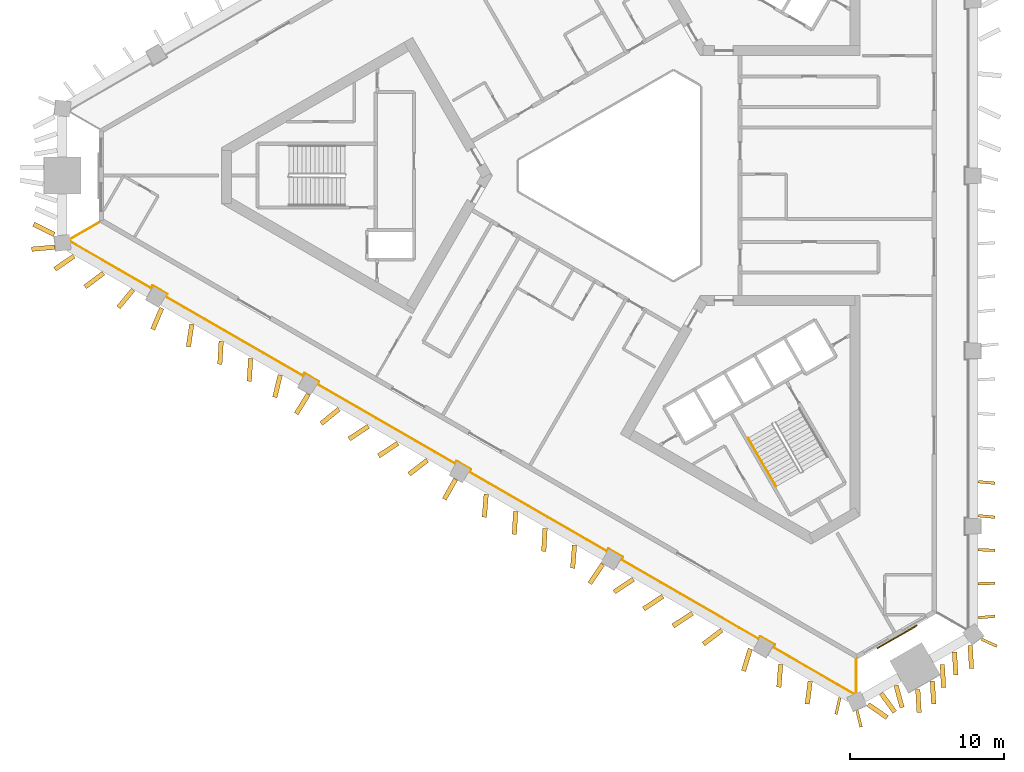
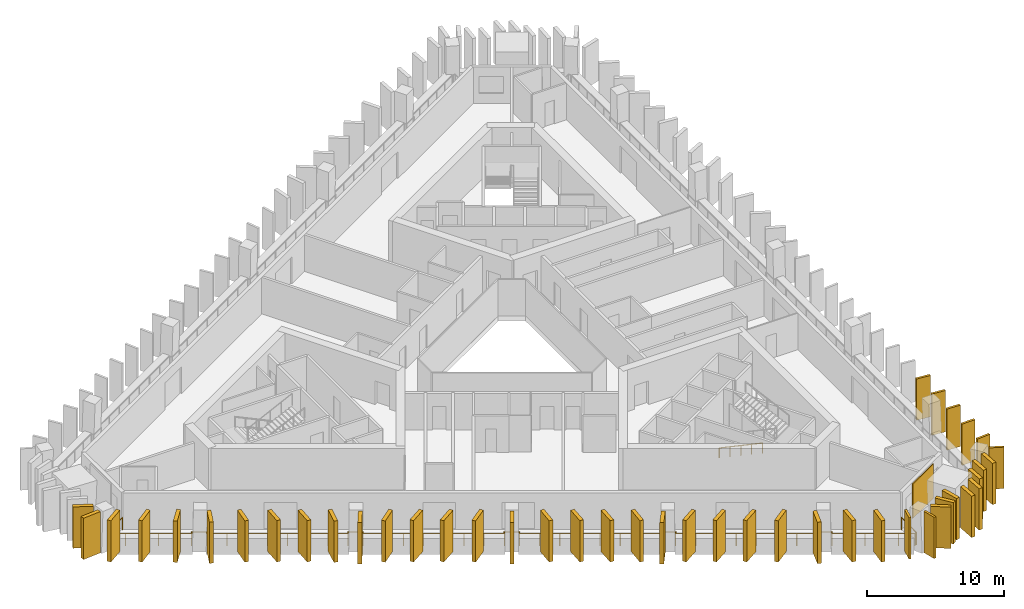
# One storey, part 7 of 10: 44 shading devices, 2 railings, 1 covering.
"""IFC4 building model written with IfcOpenShell, lengths in metres."""

from ifc_helpers import new_model, si_unit, direction, frame, frame_2d, origin, origin_2d, place, context, subcontext, project, spatial, rectangle, circle, extrude, material, layer, layer_set, type_object, element, save


model = new_model("IFC4")

# Units and contexts
model_context = context("Model", 3, precision=1e-05, world=origin(), true_north=direction((0.0, 1.0)))
body_context = subcontext(model_context, "Body", "Model", "MODEL_VIEW")
ifc_project = project(units=[si_unit("LENGTHUNIT", "METRE"), si_unit("AREAUNIT", "SQUARE_METRE"), si_unit("VOLUMEUNIT", "CUBIC_METRE"), si_unit("PLANEANGLEUNIT", "RADIAN"), si_unit("MASSUNIT", "GRAM", prefix="KILO")], contexts=[model_context])

# Site, building, storey
site_placement = place(None, origin())
site = spatial("IfcSite", under=ifc_project, at=site_placement, CompositionType="ELEMENT")
building_placement = place(site_placement, origin())
building = spatial("IfcBuilding", under=site, at=building_placement, Name="Jabali Bay Hotel Tower and Convention Centre", CompositionType="ELEMENT")
storey_placement = place(building_placement, frame((0.0, 0.0, 117.89990234375)))
storey = spatial("IfcBuildingStorey", under=building, at=storey_placement, Name="L28", CompositionType="ELEMENT", Elevation=117.89990234375)

# Railing
ifc_material_1 = material(Name="Glass", Category="glass")
railing_type_1 = type_object("IfcRailingType", Name="Loggia glass guard 1100", PredefinedType="BALUSTRADE", material=ifc_material_1)
railing_1_placement = place(storey_placement, frame((89.64892578125, 48.534423828125, 0.0)))
element("IfcRailing", 1, at=railing_1_placement, inside=storey, type_object=railing_type_1, Name="Loggia glass guard L28", PredefinedType="BALUSTRADE", context=body_context, shape_type="SweptSolid", body=[
    extrude(circle(Radius=0.02490234375, at=origin_2d()), frame((0.0, 0.0, 1.0751953125), z_axis=(0.0, -1.0, 0.0), x_axis=(0.991444861374, 0.0, 0.13052619222)), (0.0, 0.0, 1.0), 2.165283203125),
    extrude(circle(Radius=0.02490234375, at=origin_2d()), frame((0.0, -2.165283203125, 1.0751953125), z_axis=(-0.919226147347, -0.393729970962, 0.0), x_axis=(0.39036155648, -0.911362040227, 0.13052619222)), (0.0, 0.0, 1.0), 0.155517578125),
    extrude(circle(Radius=0.02490234375, at=origin_2d()), frame((-0.14306640625, -2.2265625, 1.0751953125), z_axis=(-0.866023045711, 0.500004084281, 0.0), x_axis=(-0.495726480026, -0.858614098501, 0.13052619222)), (0.0, 0.0, 1.0), 6.05322265625),
    extrude(circle(Radius=0.02490234375, at=origin_2d()), frame((-5.38525390625, 0.800048828125, 1.0751953125), z_axis=(0.499687197852, 0.866205924883, 0.0), x_axis=(-0.858795413117, 0.495412304605, 0.13052619222)), (0.0, 0.0, 1.0), 0.199951171875),
    extrude(circle(Radius=0.02490234375, at=origin_2d()), frame((-5.285400390625, 0.97314453125, 1.0751953125), z_axis=(-0.866008176907, 0.50002983664, 0.0), x_axis=(-0.495752012071, -0.858599356902, 0.13052619222)), (0.0, 0.0, 1.0), 1.10009765625),
    extrude(circle(Radius=0.02490234375, at=origin_2d()), frame((-6.238037109375, 1.523193359375, 1.0751953125), z_axis=(-0.499687197852, -0.866205924883, 0.0), x_axis=(0.858795413117, -0.495412304605, 0.13052619222)), (0.0, 0.0, 1.0), 0.199951171875),
    extrude(circle(Radius=0.02490234375, at=origin_2d()), frame((-6.337890625, 1.35009765625, 1.0751953125), z_axis=(-0.866034053161, 0.499985018542, 0.0), x_axis=(-0.495707577397, -0.858625011781, 0.13052619222)), (0.0, 0.0, 1.0), 10.302490234375),
    extrude(circle(Radius=0.02490234375, at=origin_2d()), frame((-15.26025390625, 6.501220703125, 1.0751953125), z_axis=(0.499158860599, 0.866510491504, 0.0), x_axis=(-0.859097374128, 0.49488848735, 0.13052619222)), (0.0, 0.0, 1.0), 0.199951171875),
    extrude(circle(Radius=0.02490234375, at=origin_2d()), frame((-15.160400390625, 6.674560546875, 1.0751953125), z_axis=(-0.866008176907, 0.50002983664, 0.0), x_axis=(-0.495752012071, -0.858599356902, 0.13052619222)), (0.0, 0.0, 1.0), 1.10009765625),
    extrude(circle(Radius=0.02490234375, at=origin_2d()), frame((-16.113037109375, 7.224609375, 1.0751953125), z_axis=(-0.499158860599, -0.866510491504, 0.0), x_axis=(0.859097374128, -0.49488848735, 0.13052619222)), (0.0, 0.0, 1.0), 0.199951171875),
    extrude(circle(Radius=0.02490234375, at=origin_2d()), frame((-16.212890625, 7.05126953125, 1.0751953125), z_axis=(-0.866023792161, 0.500002791403, 0.0), x_axis=(-0.495725198209, -0.858614838566, 0.13052619222)), (0.0, 0.0, 1.0), 10.302734375),
    extrude(circle(Radius=0.02490234375, at=origin_2d()), frame((-25.13525390625, 12.20263671875, 1.0751953125), z_axis=(0.499687197852, 0.866205924883, 0.0), x_axis=(-0.858795413117, 0.495412304605, 0.13052619222)), (0.0, 0.0, 1.0), 0.199951171875),
    extrude(circle(Radius=0.02490234375, at=origin_2d()), frame((-25.035400390625, 12.375732421875, 1.0751953125), z_axis=(-0.866008176907, 0.50002983664, 0.0), x_axis=(-0.495752012071, -0.858599356902, 0.13052619222)), (0.0, 0.0, 1.0), 1.10009765625),
    extrude(circle(Radius=0.02490234375, at=origin_2d()), frame((-25.988037109375, 12.92578125, 1.0751953125), z_axis=(-0.499687197852, -0.866205924883, 0.0), x_axis=(0.858795413117, -0.495412304605, 0.13052619222)), (0.0, 0.0, 1.0), 0.199951171875),
    extrude(circle(Radius=0.02490234375, at=origin_2d()), frame((-26.087890625, 12.752685546875, 1.0751953125), z_axis=(-0.866023792161, 0.500002791403, 0.0), x_axis=(-0.495725198209, -0.858614838566, 0.13052619222)), (0.0, 0.0, 1.0), 10.302734375),
    extrude(circle(Radius=0.02490234375, at=origin_2d()), frame((-35.01025390625, 17.904052734375, 1.0751953125), z_axis=(0.500603037456, 0.865676959893, 0.0), x_axis=(-0.858270973496, 0.496320309074, 0.13052619222)), (0.0, 0.0, 1.0), 0.199951171875),
    extrude(circle(Radius=0.02490234375, at=origin_2d()), frame((-34.91015625, 18.0771484375, 1.0751953125), z_axis=(-0.866008176907, 0.50002983664, 0.0), x_axis=(-0.495752012071, -0.858599356902, 0.13052619222)), (0.0, 0.0, 1.0), 1.10009765625),
    extrude(circle(Radius=0.02490234375, at=origin_2d()), frame((-35.86279296875, 18.627197265625, 1.0751953125), z_axis=(-0.500074377092, -0.865982457891, 0.0), x_axis=(0.858573857916, -0.495796171473, 0.13052619222)), (0.0, 0.0, 1.0), 0.2001953125),
    extrude(circle(Radius=0.02490234375, at=origin_2d()), frame((-35.962890625, 18.453857421875, 1.0751953125), z_axis=(-0.866023792161, 0.500002791403, 0.0), x_axis=(-0.495725198209, -0.858614838566, 0.13052619222)), (0.0, 0.0, 1.0), 10.302734375),
    extrude(circle(Radius=0.02490234375, at=origin_2d()), frame((-44.88525390625, 23.605224609375, 1.0751953125), z_axis=(0.500074377092, 0.865982457891, 0.0), x_axis=(-0.858573857916, 0.495796171473, 0.13052619222)), (0.0, 0.0, 1.0), 0.2001953125),
    extrude(circle(Radius=0.02490234375, at=origin_2d()), frame((-44.78515625, 23.778564453125, 1.0751953125), z_axis=(-0.866104278045, 0.499863360881, 0.0), x_axis=(-0.495586960535, -0.858694635882, 0.13052619222)), (0.0, 0.0, 1.0), 1.099853515625),
    extrude(circle(Radius=0.02490234375, at=origin_2d()), frame((-45.73779296875, 24.328369140625, 1.0751953125), z_axis=(-0.500603037456, -0.865676959893, 0.0), x_axis=(0.858270973496, -0.496320309074, 0.13052619222)), (0.0, 0.0, 1.0), 0.199951171875),
    extrude(circle(Radius=0.02490234375, at=origin_2d()), frame((-45.837890625, 24.1552734375, 1.0751953125), z_axis=(-0.866033128514, 0.499986620137, 0.0), x_axis=(-0.49570916529, -0.858624095045, 0.13052619222)), (0.0, 0.0, 1.0), 6.053466796875),
    extrude(circle(Radius=0.02490234375, at=origin_2d()), frame((-51.080322265625, 27.181884765625, 1.0751953125), z_axis=(-0.117477392411, 0.993075557182, 0.0), x_axis=(-0.984579658124, -0.116472357034, 0.13052619222)), (0.0, 0.0, 1.0), 0.15576171875),
    extrude(circle(Radius=0.02490234375, at=origin_2d()), frame((-51.0986328125, 27.336669921875, 1.0751953125), z_axis=(0.866056034881, 0.49994694163, 0.0), x_axis=(-0.495669826239, 0.858646805445, 0.13052619222)), (0.0, 0.0, 1.0), 2.165283203125),
    extrude(circle(Radius=0.02001953125, at=origin_2d()), origin(), (0.0, 0.0, 1.0), 1.050048828125),
    extrude(circle(Radius=0.02001953125, at=origin_2d()), frame((0.0, -1.08251953125, 0.0)), (0.0, 0.0, 1.0), 1.050048828125),
    extrude(circle(Radius=0.02001953125, at=origin_2d()), frame((0.0, -2.165283203125, 0.0)), (0.0, 0.0, 1.0), 1.050048828125),
    extrude(circle(Radius=0.02001953125, at=origin_2d()), frame((-0.14306640625, -2.2265625, 0.0)), (0.0, 0.0, 1.0), 1.050048828125),
    extrude(circle(Radius=0.02001953125, at=origin_2d()), frame((-1.19140625, -1.621337890625, 0.0)), (0.0, 0.0, 1.0), 1.050048828125),
    extrude(circle(Radius=0.02001953125, at=origin_2d()), frame((-2.239990234375, -1.015869140625, 0.0)), (0.0, 0.0, 1.0), 1.050048828125),
    extrude(circle(Radius=0.02001953125, at=origin_2d()), frame((-3.288330078125, -0.41064453125, 0.0)), (0.0, 0.0, 1.0), 1.050048828125),
    extrude(circle(Radius=0.02001953125, at=origin_2d()), frame((-4.3369140625, 0.19482421875, 0.0)), (0.0, 0.0, 1.0), 1.050048828125),
    extrude(circle(Radius=0.02001953125, at=origin_2d()), frame((-5.38525390625, 0.800048828125, 0.0)), (0.0, 0.0, 1.0), 1.050048828125),
    extrude(circle(Radius=0.02001953125, at=origin_2d()), frame((-5.285400390625, 0.97314453125, 0.0)), (0.0, 0.0, 1.0), 1.050048828125),
    extrude(circle(Radius=0.02001953125, at=origin_2d()), frame((-6.238037109375, 1.523193359375, 0.0)), (0.0, 0.0, 1.0), 1.050048828125),
    extrude(circle(Radius=0.02001953125, at=origin_2d()), frame((-6.337890625, 1.35009765625, 0.0)), (0.0, 0.0, 1.0), 1.050048828125),
    extrude(circle(Radius=0.02001953125, at=origin_2d()), frame((-7.612548828125, 2.0859375, 0.0)), (0.0, 0.0, 1.0), 1.050048828125),
    extrude(circle(Radius=0.02001953125, at=origin_2d()), frame((-8.88720703125, 2.82177734375, 0.0)), (0.0, 0.0, 1.0), 1.050048828125),
    extrude(circle(Radius=0.02001953125, at=origin_2d()), frame((-10.161865234375, 3.5576171875, 0.0)), (0.0, 0.0, 1.0), 1.050048828125),
    extrude(circle(Radius=0.02001953125, at=origin_2d()), frame((-11.436279296875, 4.293701171875, 0.0)), (0.0, 0.0, 1.0), 1.050048828125),
    extrude(circle(Radius=0.02001953125, at=origin_2d()), frame((-12.7109375, 5.029541015625, 0.0)), (0.0, 0.0, 1.0), 1.050048828125),
    extrude(circle(Radius=0.02001953125, at=origin_2d()), frame((-13.985595703125, 5.765380859375, 0.0)), (0.0, 0.0, 1.0), 1.050048828125),
    extrude(circle(Radius=0.02001953125, at=origin_2d()), frame((-15.26025390625, 6.501220703125, 0.0)), (0.0, 0.0, 1.0), 1.050048828125),
    extrude(circle(Radius=0.02001953125, at=origin_2d()), frame((-15.160400390625, 6.674560546875, 0.0)), (0.0, 0.0, 1.0), 1.050048828125),
    extrude(circle(Radius=0.02001953125, at=origin_2d()), frame((-16.113037109375, 7.224609375, 0.0)), (0.0, 0.0, 1.0), 1.050048828125),
    extrude(circle(Radius=0.02001953125, at=origin_2d()), frame((-16.212890625, 7.05126953125, 0.0)), (0.0, 0.0, 1.0), 1.050048828125),
    extrude(circle(Radius=0.02001953125, at=origin_2d()), frame((-17.487548828125, 7.787109375, 0.0)), (0.0, 0.0, 1.0), 1.050048828125),
    extrude(circle(Radius=0.02001953125, at=origin_2d()), frame((-18.76220703125, 8.523193359375, 0.0)), (0.0, 0.0, 1.0), 1.050048828125),
    extrude(circle(Radius=0.02001953125, at=origin_2d()), frame((-20.036865234375, 9.259033203125, 0.0)), (0.0, 0.0, 1.0), 1.050048828125),
    extrude(circle(Radius=0.02001953125, at=origin_2d()), frame((-21.311279296875, 9.994873046875, 0.0)), (0.0, 0.0, 1.0), 1.050048828125),
    extrude(circle(Radius=0.02001953125, at=origin_2d()), frame((-22.5859375, 10.730712890625, 0.0)), (0.0, 0.0, 1.0), 1.050048828125),
    extrude(circle(Radius=0.02001953125, at=origin_2d()), frame((-23.860595703125, 11.466796875, 0.0)), (0.0, 0.0, 1.0), 1.050048828125),
    extrude(circle(Radius=0.02001953125, at=origin_2d()), frame((-25.13525390625, 12.20263671875, 0.0)), (0.0, 0.0, 1.0), 1.050048828125),
    extrude(circle(Radius=0.02001953125, at=origin_2d()), frame((-25.035400390625, 12.375732421875, 0.0)), (0.0, 0.0, 1.0), 1.050048828125),
    extrude(circle(Radius=0.02001953125, at=origin_2d()), frame((-25.988037109375, 12.92578125, 0.0)), (0.0, 0.0, 1.0), 1.050048828125),
    extrude(circle(Radius=0.02001953125, at=origin_2d()), frame((-26.087890625, 12.752685546875, 0.0)), (0.0, 0.0, 1.0), 1.050048828125),
    extrude(circle(Radius=0.02001953125, at=origin_2d()), frame((-27.362548828125, 13.488525390625, 0.0)), (0.0, 0.0, 1.0), 1.050048828125),
    extrude(circle(Radius=0.02001953125, at=origin_2d()), frame((-28.63720703125, 14.224609375, 0.0)), (0.0, 0.0, 1.0), 1.050048828125),
    extrude(circle(Radius=0.02001953125, at=origin_2d()), frame((-29.911865234375, 14.96044921875, 0.0)), (0.0, 0.0, 1.0), 1.050048828125),
    extrude(circle(Radius=0.02001953125, at=origin_2d()), frame((-31.186279296875, 15.6962890625, 0.0)), (0.0, 0.0, 1.0), 1.050048828125),
    extrude(circle(Radius=0.02001953125, at=origin_2d()), frame((-32.4609375, 16.43212890625, 0.0)), (0.0, 0.0, 1.0), 1.050048828125),
    extrude(circle(Radius=0.02001953125, at=origin_2d()), frame((-33.735595703125, 17.168212890625, 0.0)), (0.0, 0.0, 1.0), 1.050048828125),
    extrude(circle(Radius=0.02001953125, at=origin_2d()), frame((-35.01025390625, 17.904052734375, 0.0)), (0.0, 0.0, 1.0), 1.050048828125),
    extrude(circle(Radius=0.02001953125, at=origin_2d()), frame((-34.91015625, 18.0771484375, 0.0)), (0.0, 0.0, 1.0), 1.050048828125),
    extrude(circle(Radius=0.02001953125, at=origin_2d()), frame((-35.86279296875, 18.627197265625, 0.0)), (0.0, 0.0, 1.0), 1.050048828125),
    extrude(circle(Radius=0.02001953125, at=origin_2d()), frame((-35.962890625, 18.453857421875, 0.0)), (0.0, 0.0, 1.0), 1.050048828125),
    extrude(circle(Radius=0.02001953125, at=origin_2d()), frame((-37.237548828125, 19.189697265625, 0.0)), (0.0, 0.0, 1.0), 1.050048828125),
    extrude(circle(Radius=0.02001953125, at=origin_2d()), frame((-38.51220703125, 19.92578125, 0.0)), (0.0, 0.0, 1.0), 1.050048828125),
    extrude(circle(Radius=0.02001953125, at=origin_2d()), frame((-39.786865234375, 20.66162109375, 0.0)), (0.0, 0.0, 1.0), 1.050048828125),
    extrude(circle(Radius=0.02001953125, at=origin_2d()), frame((-41.061279296875, 21.3974609375, 0.0)), (0.0, 0.0, 1.0), 1.050048828125),
    extrude(circle(Radius=0.02001953125, at=origin_2d()), frame((-42.3359375, 22.13330078125, 0.0)), (0.0, 0.0, 1.0), 1.050048828125),
    extrude(circle(Radius=0.02001953125, at=origin_2d()), frame((-43.610595703125, 22.869384765625, 0.0)), (0.0, 0.0, 1.0), 1.050048828125),
    extrude(circle(Radius=0.02001953125, at=origin_2d()), frame((-44.88525390625, 23.605224609375, 0.0)), (0.0, 0.0, 1.0), 1.050048828125),
    extrude(circle(Radius=0.02001953125, at=origin_2d()), frame((-44.78515625, 23.778564453125, 0.0)), (0.0, 0.0, 1.0), 1.050048828125),
    extrude(circle(Radius=0.02001953125, at=origin_2d()), frame((-45.73779296875, 24.328369140625, 0.0)), (0.0, 0.0, 1.0), 1.050048828125),
    extrude(circle(Radius=0.02001953125, at=origin_2d()), frame((-45.837890625, 24.1552734375, 0.0)), (0.0, 0.0, 1.0), 1.050048828125),
    extrude(circle(Radius=0.02001953125, at=origin_2d()), frame((-46.886474609375, 24.760498046875, 0.0)), (0.0, 0.0, 1.0), 1.050048828125),
    extrude(circle(Radius=0.02001953125, at=origin_2d()), frame((-47.934814453125, 25.365966796875, 0.0)), (0.0, 0.0, 1.0), 1.050048828125),
    extrude(circle(Radius=0.02001953125, at=origin_2d()), frame((-48.9833984375, 25.97119140625, 0.0)), (0.0, 0.0, 1.0), 1.050048828125),
    extrude(circle(Radius=0.02001953125, at=origin_2d()), frame((-50.03173828125, 26.57666015625, 0.0)), (0.0, 0.0, 1.0), 1.050048828125),
    extrude(circle(Radius=0.02001953125, at=origin_2d()), frame((-51.080322265625, 27.181884765625, 0.0)), (0.0, 0.0, 1.0), 1.050048828125),
    extrude(circle(Radius=0.02001953125, at=origin_2d()), frame((-51.0986328125, 27.336669921875, 0.0)), (0.0, 0.0, 1.0), 1.050048828125),
    extrude(circle(Radius=0.02001953125, at=origin_2d()), frame((-50.1611328125, 27.8779296875, 0.0)), (0.0, 0.0, 1.0), 1.050048828125),
    extrude(circle(Radius=0.02001953125, at=origin_2d()), frame((-49.223388671875, 28.419189453125, 0.0)), (0.0, 0.0, 1.0), 1.050048828125),
])

# Shading devices
ifc_material_2 = material(Name="Precast concrete C60", Category="concrete")
ifc_layer_1 = layer(ifc_material_2, 0.179931640625)
ifc_layer_set_1 = layer_set([ifc_layer_1], Name="Precast concrete C60")
shading_device_type_1 = type_object("IfcShadingDeviceType", Name="Precast fin 3680 x 1100", PredefinedType="USERDEFINED", material=ifc_layer_set_1)
shading_device_1_placement = place(storey_placement, frame((97.5751953125, 51.271240234375, 0.010009765625), z_axis=(0.0, 0.0, 1.0), x_axis=(0.996585442931, 0.082567880795, 0.0)))
element("IfcShadingDevice", 2, at=shading_device_1_placement, inside=storey, type_object=shading_device_type_1, Name="Fin L28 000", ObjectType="FIN", PredefinedType="USERDEFINED", context=body_context, shape_type="SweptSolid", body=[
    extrude(rectangle(XDim=1.099853515625, YDim=0.179931640625, at=frame_2d((0.5498046875, 0.0))), origin(), (0.0, 0.0, 1.0), 3.68017578125),
])
for number, where, z_axis, x_axis, name in (
    (3, (97.5703125, 53.481201171875, 0.010009765625), (0.0, 0.0, 1.0), (0.999627316102, 0.027298880968, 0.0), "Fin L28 001"),
    (4, (97.571533203125, 55.691162109375, 0.010009765625), (0.0, 0.0, 1.0), (0.999147627628, -0.041279755384, 0.0), "Fin L28 002"),
    (5, (97.576171875, 57.90087890625, 0.010009765625), (0.0, 0.0, 1.0), (0.995604527084, -0.093656957296, 0.0), "Fin L28 003"),
    (6, (97.576171875, 60.11083984375, 0.010009765625), (0.0, 0.0, 1.0), (0.995604527084, -0.093656957296, 0.0), "Fin L28 004"),
):
    element("IfcShadingDevice", number, at=place(storey_placement, frame(where, z_axis=z_axis, x_axis=x_axis)), inside=storey, type_object=shading_device_type_1, Name=name, ObjectType="FIN", PredefinedType="USERDEFINED", context=body_context, shape_type="SweptSolid", body=[
        extrude(rectangle(XDim=1.10009765625, YDim=0.179931640625, at=frame_2d((0.550048828125, 0.0))), origin(), (0.0, 0.0, 1.0), 3.68017578125),
    ])
for number, where, z_axis, x_axis, name in (
    (7, (88.582763671875, 46.068603515625, 0.010009765625), (0.0, 0.0, 1.0), (-0.225734792003, -0.974188792627, 0.0), "Fin L28 096"),
    (8, (97.787353515625, 49.870849609375, 0.010009765625), (0.0, 0.0, 1.0), (0.910374079649, -0.413786219084, 0.0), "Fin L28 105"),
):
    element("IfcShadingDevice", number, at=place(storey_placement, frame(where, z_axis=z_axis, x_axis=x_axis)), inside=storey, type_object=shading_device_type_1, Name=name, ObjectType="FIN", PredefinedType="USERDEFINED", context=body_context, shape_type="SweptSolid", body=[
        extrude(rectangle(XDim=1.099853515625, YDim=0.179931640625, at=frame_2d((0.5498046875, 0.0))), origin(), (0.0, 0.0, 1.0), 3.68017578125),
    ])
shading_device_2_placement = place(storey_placement, frame((89.698974609375, 45.23193359375, 0.010009765625), z_axis=(0.0, 0.0, 1.0), x_axis=(0.235688950352, -0.971828543871, 0.0)))
element("IfcShadingDevice", 9, at=shading_device_2_placement, inside=storey, type_object=shading_device_type_1, Name="Fin L28 110", ObjectType="FIN", PredefinedType="USERDEFINED", context=body_context, shape_type="SweptSolid", body=[
    extrude(rectangle(XDim=1.10009765625, YDim=0.179931640625, at=frame_2d((0.550048828125, 0.0))), origin(), (0.0, 0.0, 1.0), 3.68017578125),
])
ifc_layer_2 = layer(ifc_material_2, 0.300048828125)
ifc_layer_set_2 = layer_set([ifc_layer_2], Name="Precast concrete C60")
shading_device_type_2 = type_object("IfcShadingDeviceType", Name="Precast fin 3680 x 1500", PredefinedType="USERDEFINED", material=ifc_layer_set_2)
shading_device_3_placement = place(storey_placement, frame((37.525390625, 76.172607421875, 0.010009765625), z_axis=(0.0, 0.0, 1.0), x_axis=(-0.893219312844, 0.449621239671, 0.0)))
element("IfcShadingDevice", 10, at=shading_device_3_placement, inside=storey, type_object=shading_device_type_2, Name="Fin L28 069", ObjectType="FIN", PredefinedType="USERDEFINED", context=body_context, shape_type="SweptSolid", body=[
    extrude(rectangle(XDim=1.499755859375, YDim=0.300048828125, at=frame_2d((0.75, 0.0))), origin(), (0.0, 0.0, 1.0), 3.68017578125),
])
for number, where, z_axis, x_axis, name in (
    (11, (38.8037109375, 74.763427734375, 0.010009765625), (0.0, 0.0, 1.0), (-0.827338002808, -0.561704396555, 0.0), "Fin L28 070"),
    (12, (40.720703125, 73.664306640625, 0.010009765625), (0.0, 0.0, 1.0), (-0.798963688457, -0.601379268455, 0.0), "Fin L28 071"),
    (13, (42.651611328125, 72.588623046875, 0.010009765625), (0.0, 0.0, 1.0), (-0.636864622618, -0.770975649717, 0.0), "Fin L28 072"),
    (14, (44.51025390625, 71.38818359375, 0.010009765625), (0.0, 0.0, 1.0), (-0.39128539148, -0.920269385786, 0.0), "Fin L28 073"),
    (15, (46.464111328125, 70.352783203125, 0.010009765625), (0.0, 0.0, 1.0), (-0.149096549918, -0.988822642744, 0.0), "Fin L28 074"),
    (16, (48.371826171875, 69.23681640625, 0.010009765625), (0.0, 0.0, 1.0), (-0.057290813732, -0.998357532481, 0.0), "Fin L28 075"),
    (17, (50.28564453125, 68.132080078125, 0.010009765625), (0.0, 0.0, 1.0), (-0.057290813732, -0.998357532481, 0.0), "Fin L28 076"),
):
    element("IfcShadingDevice", number, at=place(storey_placement, frame(where, z_axis=z_axis, x_axis=x_axis)), inside=storey, type_object=shading_device_type_2, Name=name, ObjectType="FIN", PredefinedType="USERDEFINED", context=body_context, shape_type="SweptSolid", body=[
        extrude(rectangle(XDim=1.5, YDim=0.300048828125, at=frame_2d((0.75, 0.0))), origin(), (0.0, 0.0, 1.0), 3.68017578125),
    ])
shading_device_4_placement = place(storey_placement, frame((52.212158203125, 67.049072265625, 0.010009765625), z_axis=(0.0, 0.0, 1.0), x_axis=(-0.237439440211, -0.971402343127, 0.0)))
element("IfcShadingDevice", 18, at=shading_device_4_placement, inside=storey, type_object=shading_device_type_2, Name="Fin L28 077", ObjectType="FIN", PredefinedType="USERDEFINED", context=body_context, shape_type="SweptSolid", body=[
    extrude(rectangle(XDim=1.500244140625, YDim=0.300048828125, at=frame_2d((0.75, 0.0))), origin(), (0.0, 0.0, 1.0), 3.68017578125),
])
for number, where, z_axis, x_axis, name in (
    (19, (54.040771484375, 65.796630859375, 0.010009765625), (0.0, 0.0, 1.0), (-0.527054888162, -0.849831244933, 0.0), "Fin L28 078"),
    (20, (56.0341796875, 64.829345703125, 0.010009765625), (0.0, 0.0, 1.0), (-0.775376657608, -0.631499041041, 0.0), "Fin L28 079"),
    (21, (57.94091796875, 63.712158203125, 0.010009765625), (0.0, 0.0, 1.0), (-0.836059575503, -0.548638666346, 0.0), "Fin L28 080"),
    (22, (59.854736328125, 62.607177734375, 0.010009765625), (0.0, 0.0, 1.0), (-0.836059575503, -0.548638666346, 0.0), "Fin L28 081"),
):
    element("IfcShadingDevice", number, at=place(storey_placement, frame(where, z_axis=z_axis, x_axis=x_axis)), inside=storey, type_object=shading_device_type_2, Name=name, ObjectType="FIN", PredefinedType="USERDEFINED", context=body_context, shape_type="SweptSolid", body=[
        extrude(rectangle(XDim=1.5, YDim=0.300048828125, at=frame_2d((0.75, 0.0))), origin(), (0.0, 0.0, 1.0), 3.68017578125),
    ])
shading_device_5_placement = place(storey_placement, frame((61.773681640625, 61.51123046875, 0.010009765625), z_axis=(0.0, 0.0, 1.0), x_axis=(-0.791442491802, -0.611243635689, 0.0)))
element("IfcShadingDevice", 23, at=shading_device_5_placement, inside=storey, type_object=shading_device_type_2, Name="Fin L28 082", ObjectType="FIN", PredefinedType="USERDEFINED", context=body_context, shape_type="SweptSolid", body=[
    extrude(rectangle(XDim=1.499755859375, YDim=0.300048828125, at=frame_2d((0.75, 0.0))), origin(), (0.0, 0.0, 1.0), 3.68017578125),
])
for number, where, z_axis, x_axis, name in (
    (24, (63.611572265625, 60.27490234375, 0.010009765625), (0.0, 0.0, 1.0), (-0.492014351651, -0.870587087987, 0.0), "Fin L28 083"),
    (25, (65.597900390625, 59.295166015625, 0.010009765625), (0.0, 0.0, 1.0), (-0.08105184903, -0.996709886461, 0.0), "Fin L28 084"),
    (26, (67.510009765625, 58.1875, 0.010009765625), (0.0, 0.0, 1.0), (-0.057128587682, -0.99836682861, 0.0), "Fin L28 085"),
    (27, (69.423828125, 57.08251953125, 0.010009765625), (0.0, 0.0, 1.0), (-0.057128587682, -0.99836682861, 0.0), "Fin L28 086"),
    (28, (71.339599609375, 55.980712890625, 0.010009765625), (0.0, 0.0, 1.0), (-0.084473205626, -0.996425751138, 0.0), "Fin L28 087"),
    (29, (73.176025390625, 54.74169921875, 0.010009765625), (0.0, 0.0, 1.0), (-0.563942696555, -0.825813922747, 0.0), "Fin L28 088"),
):
    element("IfcShadingDevice", number, at=place(storey_placement, frame(where, z_axis=z_axis, x_axis=x_axis)), inside=storey, type_object=shading_device_type_2, Name=name, ObjectType="FIN", PredefinedType="USERDEFINED", context=body_context, shape_type="SweptSolid", body=[
        extrude(rectangle(XDim=1.5, YDim=0.300048828125, at=frame_2d((0.75, 0.0))), origin(), (0.0, 0.0, 1.0), 3.68017578125),
    ])
shading_device_6_placement = place(storey_placement, frame((75.165283203125, 53.767578125, 0.010009765625), z_axis=(0.0, 0.0, 1.0), x_axis=(-0.836010576287, -0.548713328011, 0.0)))
element("IfcShadingDevice", 30, at=shading_device_6_placement, inside=storey, type_object=shading_device_type_2, Name="Fin L28 089", ObjectType="FIN", PredefinedType="USERDEFINED", context=body_context, shape_type="SweptSolid", body=[
    extrude(rectangle(XDim=1.499755859375, YDim=0.300048828125, at=frame_2d((0.75, 0.0))), origin(), (0.0, 0.0, 1.0), 3.68017578125),
])
for number, where, z_axis, x_axis, name in (
    (31, (77.0791015625, 52.66259765625, 0.010009765625), (0.0, 0.0, 1.0), (-0.83593590558, -0.548827078196, 0.0), "Fin L28 090"),
    (32, (78.9931640625, 51.557861328125, 0.010009765625), (0.0, 0.0, 1.0), (-0.835737490734, -0.549129171127, 0.0), "Fin L28 091"),
    (33, (80.911376953125, 50.46044921875, 0.010009765625), (0.0, 0.0, 1.0), (-0.798611238861, -0.601847230753, 0.0), "Fin L28 092"),
    (34, (82.76220703125, 49.24658203125, 0.010009765625), (0.0, 0.0, 1.0), (-0.294120161714, -0.95576845024, 0.0), "Fin L28 093"),
    (35, (84.73583984375, 48.245361328125, 0.010009765625), (0.0, 0.0, 1.0), (-0.078127805502, -0.996943351454, 0.0), "Fin L28 094"),
):
    element("IfcShadingDevice", number, at=place(storey_placement, frame(where, z_axis=z_axis, x_axis=x_axis)), inside=storey, type_object=shading_device_type_2, Name=name, ObjectType="FIN", PredefinedType="USERDEFINED", context=body_context, shape_type="SweptSolid", body=[
        extrude(rectangle(XDim=1.5, YDim=0.300048828125, at=frame_2d((0.75, 0.0))), origin(), (0.0, 0.0, 1.0), 3.68017578125),
    ])
shading_device_7_placement = place(storey_placement, frame((86.653076171875, 47.14599609375, 0.010009765625), z_axis=(0.0, 0.0, 1.0), x_axis=(-0.126318354061, -0.991989754699, 0.0)))
element("IfcShadingDevice", 36, at=shading_device_7_placement, inside=storey, type_object=shading_device_type_2, Name="Fin L28 095", ObjectType="FIN", PredefinedType="USERDEFINED", context=body_context, shape_type="SweptSolid", body=[
    extrude(rectangle(XDim=1.499755859375, YDim=0.300048828125, at=frame_2d((0.75, 0.0))), origin(), (0.0, 0.0, 1.0), 3.68017578125),
])
for number, where, z_axis, x_axis, name in (
    (37, (90.424072265625, 45.629638671875, 0.010009765625), (0.0, 0.0, 1.0), (0.822900524355, -0.568185468853, 0.0), "Fin L28 097"),
    (38, (91.270751953125, 46.3505859375, 0.010009765625), (0.0, 0.0, 1.0), (0.586292554627, -0.810099401548, 0.0), "Fin L28 098"),
):
    element("IfcShadingDevice", number, at=place(storey_placement, frame(where, z_axis=z_axis, x_axis=x_axis)), inside=storey, type_object=shading_device_type_2, Name=name, ObjectType="FIN", PredefinedType="USERDEFINED", context=body_context, shape_type="SweptSolid", body=[
        extrude(rectangle(XDim=1.5, YDim=0.300048828125, at=frame_2d((0.75, 0.0))), origin(), (0.0, 0.0, 1.0), 3.68017578125),
    ])
shading_device_8_placement = place(storey_placement, frame((92.22900390625, 46.8779296875, 0.010009765625), z_axis=(0.0, 0.0, 1.0), x_axis=(0.265981159017, -0.963978227476, 0.0)))
element("IfcShadingDevice", 39, at=shading_device_8_placement, inside=storey, type_object=shading_device_type_2, Name="Fin L28 099", ObjectType="FIN", PredefinedType="USERDEFINED", context=body_context, shape_type="SweptSolid", body=[
    extrude(rectangle(XDim=1.499755859375, YDim=0.300048828125, at=frame_2d((0.75, 0.0))), origin(), (0.0, 0.0, 1.0), 3.68017578125),
])
shading_device_9_placement = place(storey_placement, frame((93.64697265625, 46.60888671875, 0.010009765625), z_axis=(0.0, 0.0, 1.0), x_axis=(0.057290813732, -0.998357532481, 0.0)))
element("IfcShadingDevice", 40, at=shading_device_9_placement, inside=storey, type_object=shading_device_type_2, Name="Fin L28 100", ObjectType="FIN", PredefinedType="USERDEFINED", context=body_context, shape_type="SweptSolid", body=[
    extrude(rectangle(XDim=1.5, YDim=0.300048828125, at=frame_2d((0.75, 0.0))), origin(), (0.0, 0.0, 1.0), 3.68017578125),
])
shading_device_10_placement = place(storey_placement, frame((94.593994140625, 47.155517578125, 0.010009765625), z_axis=(0.0, 0.0, 1.0), x_axis=(0.057300124465, -0.998356998141, 0.0)))
element("IfcShadingDevice", 41, at=shading_device_10_placement, inside=storey, type_object=shading_device_type_2, Name="Fin L28 101", ObjectType="FIN", PredefinedType="USERDEFINED", context=body_context, shape_type="SweptSolid", body=[
    extrude(rectangle(XDim=1.499755859375, YDim=0.300048828125, at=frame_2d((0.75, 0.0))), origin(), (0.0, 0.0, 1.0), 3.68017578125),
])
for number, where, z_axis, x_axis, name in (
    (42, (95.23681640625, 48.2294921875, 0.010009765625), (0.0, 0.0, 1.0), (0.057128587682, -0.99836682861, 0.0), "Fin L28 102"),
    (43, (96.031982421875, 49.039306640625, 0.010009765625), (0.0, 0.0, 1.0), (0.057128587682, -0.99836682861, 0.0), "Fin L28 103"),
    (44, (97.052001953125, 49.4599609375, 0.010009765625), (0.0, 0.0, 1.0), (0.057128587682, -0.99836682861, 0.0), "Fin L28 104"),
    (45, (37.55029296875, 75.351318359375, 0.010009765625), (0.0, 0.0, 1.0), (-0.996244251659, -0.08658747621, 0.0), "Fin L28 109"),
):
    element("IfcShadingDevice", number, at=place(storey_placement, frame(where, z_axis=z_axis, x_axis=x_axis)), inside=storey, type_object=shading_device_type_2, Name=name, ObjectType="FIN", PredefinedType="USERDEFINED", context=body_context, shape_type="SweptSolid", body=[
        extrude(rectangle(XDim=1.5, YDim=0.300048828125, at=frame_2d((0.75, 0.0))), origin(), (0.0, 0.0, 1.0), 3.68017578125),
    ])

# Covering
ifc_material_3 = material(Name="Precast concrete C40/50", Category="concrete")
ifc_layer_3 = layer(ifc_material_3, 0.080078125)
ifc_layer_set_3 = layer_set([ifc_layer_3], Name="Precast concrete C40/50")
covering_type = type_object("IfcCoveringType", Name="Relief panel 3000 x 3050", PredefinedType="CLADDING", material=ifc_layer_set_3)
covering_placement = place(storey_placement, frame((92.30712890625, 50.02294921875, 0.10009765625), z_axis=(0.0, 0.0, 1.0), x_axis=(-0.866025383949, -0.500000034356, 0.0)))
element("IfcCovering", 46, at=covering_placement, inside=storey, type_object=covering_type, Name="Relief panel L28", PredefinedType="CLADDING", context=body_context, shape_type="SweptSolid", body=[
    extrude(rectangle(XDim=3.0, YDim=0.080078125, at=origin_2d()), origin(), (0.0, 0.0, 1.0), 3.050048828125),
])

# Railing
ifc_material_4 = material(Name="Steel Q355B", Category="steel")
railing_type_2 = type_object("IfcRailingType", Name="Stair handrail 900", PredefinedType="HANDRAIL", material=ifc_material_4)
railing_2_placement = place(storey_placement, frame((82.622802734375, 62.94677734375, 0.13232421875)))
element("IfcRailing", 47, at=railing_2_placement, inside=storey, type_object=railing_type_2, Name="L28 ST3 stair handrail 1", PredefinedType="HANDRAIL", context=body_context, shape_type="SweptSolid", body=[
    extrude(circle(Radius=0.02392578125, at=origin_2d()), frame((0.0, 0.0, 0.8759765625), z_axis=(0.452190331055, -0.783190014029, 0.426775475427), x_axis=(0.866018046521, 0.500012742938, 0.0)), (0.0, 0.0, 1.0), 4.02490234375),
    extrude(circle(Radius=0.02099609375, at=origin_2d()), origin(), (0.0, 0.0, 1.0), 0.851806640625),
    extrude(circle(Radius=0.02099609375, at=origin_2d()), frame((0.455078125, -0.7880859375, 0.429443359375)), (0.0, 0.0, 1.0), 0.851806640625),
    extrude(circle(Radius=0.02099609375, at=origin_2d()), frame((0.91015625, -1.576171875, 0.85888671875)), (0.0, 0.0, 1.0), 0.851806640625),
    extrude(circle(Radius=0.02099609375, at=origin_2d()), frame((1.364990234375, -2.3642578125, 1.288330078125)), (0.0, 0.0, 1.0), 0.851806640625),
    extrude(circle(Radius=0.02099609375, at=origin_2d()), frame((1.820068359375, -3.15234375, 1.7177734375)), (0.0, 0.0, 1.0), 0.851806640625),
])

save(model, "model.ifc")
